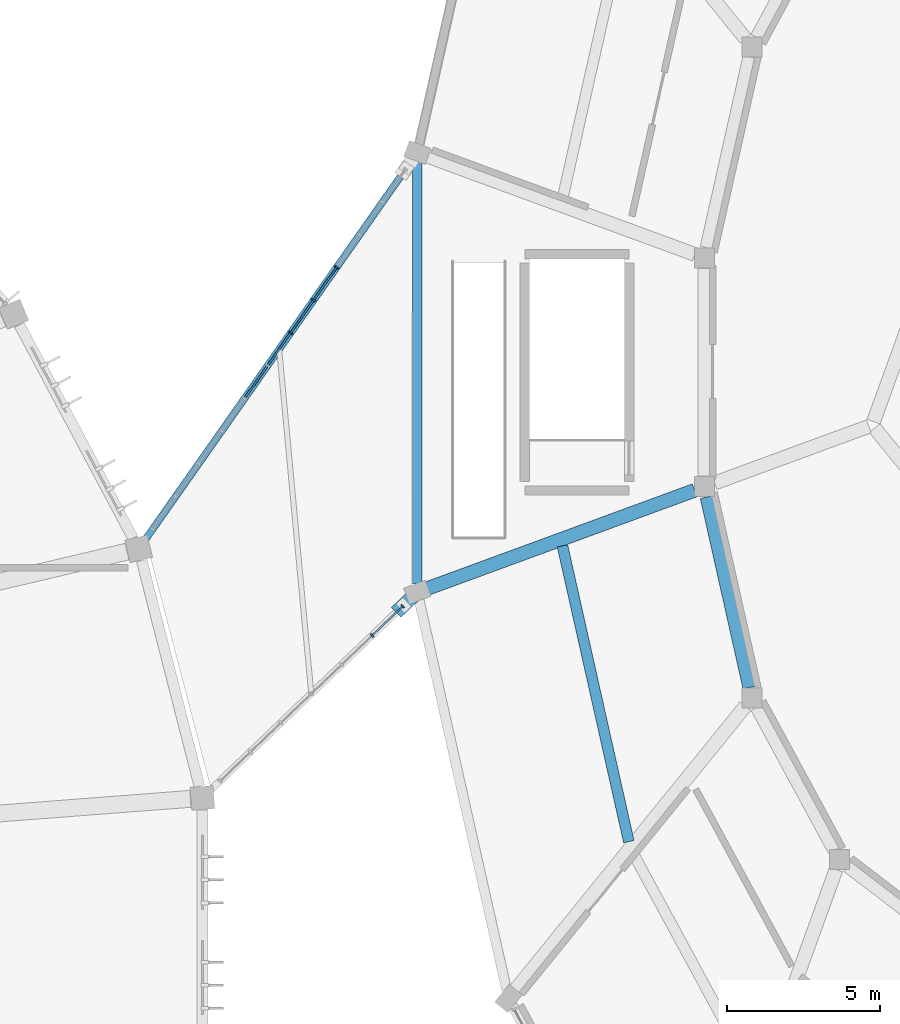
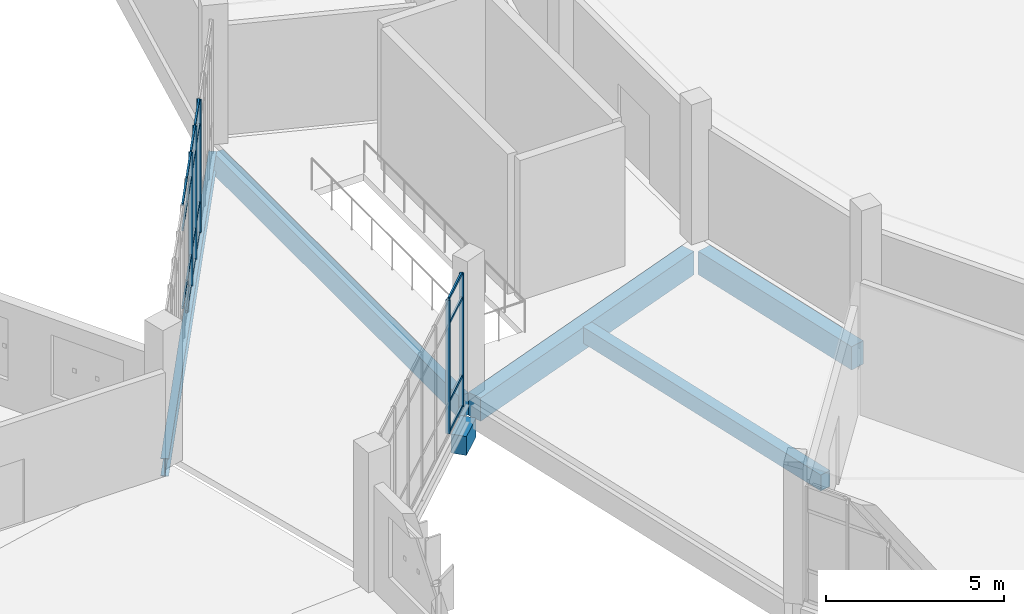
# One storey, part 49 of 179: 24 members, 6 beams, 2 elements without a shape of their own.
"""IFC4 building model written with IfcOpenShell, lengths in metres."""

from ifc_helpers import new_model, si_unit, direction, frame, origin, origin_2d, place, context, subcontext, project, spatial, rectangle, i_section, extrude, material, layer, layer_set, material_profile, profile_set, type_object, element, aggregate, save


model = new_model("IFC4")

# Units and contexts
model_context = context("Model", 3, precision=1e-05, world=origin(), true_north=direction((0.0, 1.0)))
body_context = subcontext(model_context, "Body", "Model", "MODEL_VIEW")
ifc_project = project(units=[si_unit("LENGTHUNIT", "METRE"), si_unit("AREAUNIT", "SQUARE_METRE"), si_unit("VOLUMEUNIT", "CUBIC_METRE"), si_unit("PLANEANGLEUNIT", "RADIAN"), si_unit("MASSUNIT", "GRAM", prefix="KILO")], contexts=[model_context])

# Site, building, storey
site_placement = place(None, origin())
site = spatial("IfcSite", under=ifc_project, at=site_placement, CompositionType="ELEMENT")
building_placement = place(site_placement, origin())
building = spatial("IfcBuilding", under=site, at=building_placement, Name="Corvandel Quay Wholesale Market", CompositionType="ELEMENT")
storey_placement = place(building_placement, frame((0.0, 0.0, 6.0)))
storey = spatial("IfcBuildingStorey", under=building, at=storey_placement, Name="L01", CompositionType="ELEMENT", Elevation=6.0)

# Beams
ifc_material_1 = material(Name="Precast concrete C45/55", Category="concrete")
ifc_material_profile_1 = material_profile(ifc_material_1, rectangle(XDim=0.449951171875, YDim=0.800048828125, at=origin_2d()), Name="PC-GIR-450x800")
ifc_profile_set_1 = profile_set([ifc_material_profile_1], Name="Precast concrete C45/55")
beam_type_1 = type_object("IfcBeamType", Name="Auction Pavilion Girder G05 450x800", PredefinedType="USERDEFINED", material=ifc_profile_set_1)
beam_1_placement = place(storey_placement, frame((184.435546875, 55.939453125, -0.639892578125), z_axis=(0.218994347001, -0.975726127549, 0.0), x_axis=(0.975726127549, 0.218994347001, 0.0)))
element("IfcBeam", 1, at=beam_1_placement, inside=storey, type_object=beam_type_1, Name="Beam BM-0852", ObjectType="GIRDER", PredefinedType="USERDEFINED", context=body_context, shape_type="SweptSolid", body=[
    extrude(rectangle(XDim=0.449951171875, YDim=0.800048828125, at=origin_2d()), origin(), (0.0, 0.0, 1.0), 6.361083984375),
])
beam_2_placement = place(storey_placement, frame((175.25341796875, 52.93212890625, -0.639892578125), z_axis=(0.938719908287, 0.344680915899, 0.0), x_axis=(-0.344680915899, 0.938719908287, 0.0)))
element("IfcBeam", 2, at=beam_2_placement, inside=storey, type_object=beam_type_1, Name="Beam BM-0853", ObjectType="GIRDER", PredefinedType="USERDEFINED", context=body_context, shape_type="SweptSolid", body=[
    extrude(rectangle(XDim=0.449951171875, YDim=0.800048828125, at=origin_2d()), origin(), (0.0, 0.0, 1.0), 9.35595703125),
])
ifc_material_2 = material(Name="Steel A992 Grade 50", Category="steel")
ifc_material_profile_2 = material_profile(ifc_material_2, i_section(OverallWidth=0.22900390625, OverallDepth=0.612060546875, WebThickness=0.011962890625, FlangeThickness=0.01953125, at=origin_2d()), Name="W24X84")
ifc_profile_set_2 = profile_set([ifc_material_profile_2], Name="Steel A992 Grade 50")
beam_type_2 = type_object("IfcBeamType", Name="Bridge Link Steel Girder SG02 W24X84", PredefinedType="USERDEFINED", material=ifc_profile_set_2)
beam_3_placement = place(storey_placement, frame((166.1494140625, 54.570068359375, -0.52587890625), z_axis=(0.575077511618, 0.818098927778, 0.0), x_axis=(-0.818098927778, 0.575077511618, 0.0)))
element("IfcBeam", 3, at=beam_3_placement, inside=storey, type_object=beam_type_2, Name="Beam BM-1794", ObjectType="GIRDER", PredefinedType="USERDEFINED", context=body_context, shape_type="SweptSolid", body=[
    extrude(i_section(OverallWidth=0.22900390625, OverallDepth=0.612060546875, WebThickness=0.011962890625, FlangeThickness=0.01953125, at=origin_2d()), origin(), (0.0, 0.0, 1.0), 15.125244140625),
])

# Curtain wall, members
ifc_material_3 = material(Name="Bronze anodised aluminium and low-E insulated glazing", Category="aluminium")
ifc_layer_1 = layer(ifc_material_3, 0.14990234375)
ifc_layer_set_1 = layer_set([ifc_layer_1], Name="Bronze anodised aluminium and low-E insulated glazing")
curtain_wall_type_1 = type_object("IfcCurtainWallType", Name="Stick Curtain Wall System CW25 H5250", PredefinedType="NOTDEFINED", material=ifc_layer_set_1)
curtain_wall_1_placement = place(storey_placement, origin())
curtain_wall_1 = element("IfcCurtainWall", 4, at=curtain_wall_1_placement, inside=storey, type_object=curtain_wall_type_1, Name="Curtain Wall CW-0176", PredefinedType="NOTDEFINED")
ifc_material_4 = material(Name="Anodised aluminium 6063-T6", Category="aluminium")
ifc_material_profile_3 = material_profile(ifc_material_4, rectangle(XDim=0.06005859375, YDim=0.1298828125, at=origin_2d()), Name="ALU-MUL-60x130")
ifc_profile_set_3 = profile_set([ifc_material_profile_3], Name="Anodised aluminium 6063-T6")
member_type_1 = type_object("IfcMemberType", Name="Clerestory Mullion ML03 60x130", PredefinedType="MULLION", material=ifc_profile_set_3)
member_1_placement = place(storey_placement, frame((173.5283203125, 51.4296875, -0.030029296875), z_axis=(0.0, 0.0, 1.0), x_axis=(0.72236396206, 0.691513055782, 0.0)))
member_1 = element("IfcMember", 5, at=member_1_placement, type_object=member_type_1, Name="Mullion CW-0176-M05", PredefinedType="MULLION", context=body_context, shape_type="SweptSolid", body=[
    extrude(rectangle(XDim=0.06005859375, YDim=0.1298828125, at=origin_2d()), origin(), (0.0, 0.0, 1.0), 4.580078125),
])
member_2_placement = place(storey_placement, frame((174.519775390625, 52.379150390625, -0.030029296875), z_axis=(0.0, 0.0, 1.0), x_axis=(0.72236396206, 0.691513055782, 0.0)))
member_2 = element("IfcMember", 6, at=member_2_placement, type_object=member_type_1, Name="Mullion CW-0176-M06", PredefinedType="MULLION", context=body_context, shape_type="SweptSolid", body=[
    extrude(rectangle(XDim=0.06005859375, YDim=0.1298828125, at=origin_2d()), origin(), (0.0, 0.0, 1.0), 4.580078125),
])

ifc_layer_2 = layer(ifc_material_3, 0.162109375)
ifc_layer_set_2 = layer_set([ifc_layer_2], Name="Bronze anodised aluminium and low-E insulated glazing")
curtain_wall_type_2 = type_object("IfcCurtainWallType", Name="Stick Curtain Wall System CW26 H5340", PredefinedType="NOTDEFINED", material=ifc_layer_set_2)
curtain_wall_2_placement = place(storey_placement, origin())
curtain_wall_2 = element("IfcCurtainWall", 7, at=curtain_wall_2_placement, inside=storey, type_object=curtain_wall_type_2, Name="Curtain Wall CW-0177", PredefinedType="NOTDEFINED")
member_3_placement = place(storey_placement, frame((170.872802734375, 61.289794921875, -0.030029296875), z_axis=(0.0, 0.0, 1.0), x_axis=(0.575148037348, 0.818049347616, 0.0)))
member_3 = element("IfcMember", 8, at=member_3_placement, type_object=member_type_1, Name="Mullion CW-0177-M06", PredefinedType="MULLION", context=body_context, shape_type="SweptSolid", body=[
    extrude(rectangle(XDim=0.06005859375, YDim=0.1298828125, at=origin_2d()), origin(), (0.0, 0.0, 1.0), 4.580078125),
])
member_4_placement = place(storey_placement, frame((171.621826171875, 62.355224609375, -0.030029296875), z_axis=(0.0, 0.0, 1.0), x_axis=(0.575148037348, 0.818049347616, 0.0)))
member_4 = element("IfcMember", 9, at=member_4_placement, type_object=member_type_1, Name="Mullion CW-0177-M07", PredefinedType="MULLION", context=body_context, shape_type="SweptSolid", body=[
    extrude(rectangle(XDim=0.06005859375, YDim=0.1298828125, at=origin_2d()), origin(), (0.0, 0.0, 1.0), 4.580078125),
])
member_5_placement = place(storey_placement, frame((172.370849609375, 63.420654296875, -0.030029296875), z_axis=(0.0, 0.0, 1.0), x_axis=(0.575148037348, 0.818049347616, 0.0)))
member_5 = element("IfcMember", 10, at=member_5_placement, type_object=member_type_1, Name="Mullion CW-0177-M08", PredefinedType="MULLION", context=body_context, shape_type="SweptSolid", body=[
    extrude(rectangle(XDim=0.06005859375, YDim=0.1298828125, at=origin_2d()), origin(), (0.0, 0.0, 1.0), 4.580078125),
])

# Member
ifc_material_profile_4 = material_profile(ifc_material_4, rectangle(XDim=0.054931640625, YDim=0.094970703125, at=origin_2d()), Name="ALU-TRN-55x95")
ifc_profile_set_4 = profile_set([ifc_material_profile_4], Name="Anodised aluminium 6063-T6")
member_type_2 = type_object("IfcMemberType", Name="Clerestory Transom TR03 55x95", PredefinedType="USERDEFINED", material=ifc_profile_set_4)
member_6_placement = place(storey_placement, frame((173.5498046875, 51.450439453125, -0.030029296875), z_axis=(0.722282315637, 0.691598334669, 0.0), x_axis=(-0.691598334669, 0.722282315637, 0.0)))
member_6 = element("IfcMember", 11, at=member_6_placement, type_object=member_type_2, Name="Transom CW-0176-T05-0", ObjectType="TRANSOM", PredefinedType="USERDEFINED", context=body_context, shape_type="SweptSolid", body=[
    extrude(rectangle(XDim=0.054931640625, YDim=0.094970703125, at=origin_2d()), origin(), (0.0, 0.0, 1.0), 1.312744140625),
])

member_7_placement = place(storey_placement, frame((173.5498046875, 51.450439453125, 1.02001953125), z_axis=(0.722282315637, 0.691598334669, 0.0), x_axis=(-0.691598334669, 0.722282315637, 0.0)))
member_7 = element("IfcMember", 12, at=member_7_placement, type_object=member_type_2, Name="Transom CW-0176-T05-1", ObjectType="TRANSOM", PredefinedType="USERDEFINED", context=body_context, shape_type="SweptSolid", body=[
    extrude(rectangle(XDim=0.054931640625, YDim=0.094970703125, at=origin_2d()), origin(), (0.0, 0.0, 1.0), 1.312744140625),
])

member_8_placement = place(storey_placement, frame((173.5498046875, 51.450439453125, 3.699951171875), z_axis=(0.722282315637, 0.691598334669, 0.0), x_axis=(-0.691598334669, 0.722282315637, 0.0)))
member_8 = element("IfcMember", 13, at=member_8_placement, type_object=member_type_2, Name="Transom CW-0176-T05-2", ObjectType="TRANSOM", PredefinedType="USERDEFINED", context=body_context, shape_type="SweptSolid", body=[
    extrude(rectangle(XDim=0.054931640625, YDim=0.094970703125, at=origin_2d()), origin(), (0.0, 0.0, 1.0), 1.312744140625),
])

member_9_placement = place(storey_placement, frame((173.5498046875, 51.450439453125, 4.550048828125), z_axis=(0.722282315637, 0.691598334669, 0.0), x_axis=(-0.691598334669, 0.722282315637, 0.0)))
member_9 = element("IfcMember", 14, at=member_9_placement, type_object=member_type_2, Name="Transom CW-0176-T05-3", ObjectType="TRANSOM", PredefinedType="USERDEFINED", context=body_context, shape_type="SweptSolid", body=[
    extrude(rectangle(XDim=0.054931640625, YDim=0.094970703125, at=origin_2d()), origin(), (0.0, 0.0, 1.0), 1.312744140625),
])

aggregate(curtain_wall_1, [member_1, member_2, member_6, member_7, member_8, member_9])

member_10_placement = place(storey_placement, frame((169.392333984375, 59.18359375, 1.02001953125), z_axis=(0.57503085041, 0.818131725993, 0.0), x_axis=(-0.818131725993, 0.57503085041, 0.0)))
member_10 = element("IfcMember", 15, at=member_10_placement, type_object=member_type_2, Name="Transom CW-0177-T04-1", ObjectType="TRANSOM", PredefinedType="USERDEFINED", context=body_context, shape_type="SweptSolid", body=[
    extrude(rectangle(XDim=0.054931640625, YDim=0.094970703125, at=origin_2d()), origin(), (0.0, 0.0, 1.0), 1.2421875),
])

member_11_placement = place(storey_placement, frame((169.392333984375, 59.18359375, 3.699951171875), z_axis=(0.57503085041, 0.818131725993, 0.0), x_axis=(-0.818131725993, 0.57503085041, 0.0)))
member_11 = element("IfcMember", 16, at=member_11_placement, type_object=member_type_2, Name="Transom CW-0177-T04-2", ObjectType="TRANSOM", PredefinedType="USERDEFINED", context=body_context, shape_type="SweptSolid", body=[
    extrude(rectangle(XDim=0.054931640625, YDim=0.094970703125, at=origin_2d()), origin(), (0.0, 0.0, 1.0), 1.2421875),
])

member_12_placement = place(storey_placement, frame((169.392333984375, 59.18359375, 4.550048828125), z_axis=(0.57503085041, 0.818131725993, 0.0), x_axis=(-0.818131725993, 0.57503085041, 0.0)))
member_12 = element("IfcMember", 17, at=member_12_placement, type_object=member_type_2, Name="Transom CW-0177-T04-3", ObjectType="TRANSOM", PredefinedType="USERDEFINED", context=body_context, shape_type="SweptSolid", body=[
    extrude(rectangle(XDim=0.054931640625, YDim=0.094970703125, at=origin_2d()), origin(), (0.0, 0.0, 1.0), 1.2421875),
])

member_13_placement = place(storey_placement, frame((170.14111328125, 60.2490234375, -0.030029296875), z_axis=(0.575162369766, 0.818039270699, 0.0), x_axis=(-0.818039270699, 0.575162369766, 0.0)))
member_13 = element("IfcMember", 18, at=member_13_placement, type_object=member_type_2, Name="Transom CW-0177-T05-0", ObjectType="TRANSOM", PredefinedType="USERDEFINED", context=body_context, shape_type="SweptSolid", body=[
    extrude(rectangle(XDim=0.054931640625, YDim=0.094970703125, at=origin_2d()), origin(), (0.0, 0.0, 1.0), 1.242431640625),
])

member_14_placement = place(storey_placement, frame((170.14111328125, 60.2490234375, 1.02001953125), z_axis=(0.575162369766, 0.818039270699, 0.0), x_axis=(-0.818039270699, 0.575162369766, 0.0)))
member_14 = element("IfcMember", 19, at=member_14_placement, type_object=member_type_2, Name="Transom CW-0177-T05-1", ObjectType="TRANSOM", PredefinedType="USERDEFINED", context=body_context, shape_type="SweptSolid", body=[
    extrude(rectangle(XDim=0.054931640625, YDim=0.094970703125, at=origin_2d()), origin(), (0.0, 0.0, 1.0), 1.242431640625),
])

member_15_placement = place(storey_placement, frame((170.14111328125, 60.2490234375, 3.699951171875), z_axis=(0.575162369766, 0.818039270699, 0.0), x_axis=(-0.818039270699, 0.575162369766, 0.0)))
member_15 = element("IfcMember", 20, at=member_15_placement, type_object=member_type_2, Name="Transom CW-0177-T05-2", ObjectType="TRANSOM", PredefinedType="USERDEFINED", context=body_context, shape_type="SweptSolid", body=[
    extrude(rectangle(XDim=0.054931640625, YDim=0.094970703125, at=origin_2d()), origin(), (0.0, 0.0, 1.0), 1.242431640625),
])

member_16_placement = place(storey_placement, frame((170.14111328125, 60.2490234375, 4.550048828125), z_axis=(0.575162369766, 0.818039270699, 0.0), x_axis=(-0.818039270699, 0.575162369766, 0.0)))
member_16 = element("IfcMember", 21, at=member_16_placement, type_object=member_type_2, Name="Transom CW-0177-T05-3", ObjectType="TRANSOM", PredefinedType="USERDEFINED", context=body_context, shape_type="SweptSolid", body=[
    extrude(rectangle(XDim=0.054931640625, YDim=0.094970703125, at=origin_2d()), origin(), (0.0, 0.0, 1.0), 1.242431640625),
])

member_17_placement = place(storey_placement, frame((170.89013671875, 61.314453125, -0.030029296875), z_axis=(0.57503085041, 0.818131725993, 0.0), x_axis=(-0.818131725993, 0.57503085041, 0.0)))
member_17 = element("IfcMember", 22, at=member_17_placement, type_object=member_type_2, Name="Transom CW-0177-T06-0", ObjectType="TRANSOM", PredefinedType="USERDEFINED", context=body_context, shape_type="SweptSolid", body=[
    extrude(rectangle(XDim=0.054931640625, YDim=0.094970703125, at=origin_2d()), origin(), (0.0, 0.0, 1.0), 1.2421875),
])

member_18_placement = place(storey_placement, frame((170.89013671875, 61.314453125, 1.02001953125), z_axis=(0.57503085041, 0.818131725993, 0.0), x_axis=(-0.818131725993, 0.57503085041, 0.0)))
member_18 = element("IfcMember", 23, at=member_18_placement, type_object=member_type_2, Name="Transom CW-0177-T06-1", ObjectType="TRANSOM", PredefinedType="USERDEFINED", context=body_context, shape_type="SweptSolid", body=[
    extrude(rectangle(XDim=0.054931640625, YDim=0.094970703125, at=origin_2d()), origin(), (0.0, 0.0, 1.0), 1.2421875),
])

member_19_placement = place(storey_placement, frame((170.89013671875, 61.314453125, 3.699951171875), z_axis=(0.57503085041, 0.818131725993, 0.0), x_axis=(-0.818131725993, 0.57503085041, 0.0)))
member_19 = element("IfcMember", 24, at=member_19_placement, type_object=member_type_2, Name="Transom CW-0177-T06-2", ObjectType="TRANSOM", PredefinedType="USERDEFINED", context=body_context, shape_type="SweptSolid", body=[
    extrude(rectangle(XDim=0.054931640625, YDim=0.094970703125, at=origin_2d()), origin(), (0.0, 0.0, 1.0), 1.2421875),
])

member_20_placement = place(storey_placement, frame((170.89013671875, 61.314453125, 4.550048828125), z_axis=(0.57503085041, 0.818131725993, 0.0), x_axis=(-0.818131725993, 0.57503085041, 0.0)))
member_20 = element("IfcMember", 25, at=member_20_placement, type_object=member_type_2, Name="Transom CW-0177-T06-3", ObjectType="TRANSOM", PredefinedType="USERDEFINED", context=body_context, shape_type="SweptSolid", body=[
    extrude(rectangle(XDim=0.054931640625, YDim=0.094970703125, at=origin_2d()), origin(), (0.0, 0.0, 1.0), 1.2421875),
])

member_21_placement = place(storey_placement, frame((171.63916015625, 62.3798828125, -0.030029296875), z_axis=(0.575123316774, 0.818066727414, 0.0), x_axis=(-0.818066727414, 0.575123316774, 0.0)))
member_21 = element("IfcMember", 26, at=member_21_placement, type_object=member_type_2, Name="Transom CW-0177-T07-0", ObjectType="TRANSOM", PredefinedType="USERDEFINED", context=body_context, shape_type="SweptSolid", body=[
    extrude(rectangle(XDim=0.054931640625, YDim=0.094970703125, at=origin_2d()), origin(), (0.0, 0.0, 1.0), 1.2421875),
])

member_22_placement = place(storey_placement, frame((171.63916015625, 62.3798828125, 1.02001953125), z_axis=(0.575123316774, 0.818066727414, 0.0), x_axis=(-0.818066727414, 0.575123316774, 0.0)))
member_22 = element("IfcMember", 27, at=member_22_placement, type_object=member_type_2, Name="Transom CW-0177-T07-1", ObjectType="TRANSOM", PredefinedType="USERDEFINED", context=body_context, shape_type="SweptSolid", body=[
    extrude(rectangle(XDim=0.054931640625, YDim=0.094970703125, at=origin_2d()), origin(), (0.0, 0.0, 1.0), 1.2421875),
])

member_23_placement = place(storey_placement, frame((171.63916015625, 62.3798828125, 3.699951171875), z_axis=(0.575123316774, 0.818066727414, 0.0), x_axis=(-0.818066727414, 0.575123316774, 0.0)))
member_23 = element("IfcMember", 28, at=member_23_placement, type_object=member_type_2, Name="Transom CW-0177-T07-2", ObjectType="TRANSOM", PredefinedType="USERDEFINED", context=body_context, shape_type="SweptSolid", body=[
    extrude(rectangle(XDim=0.054931640625, YDim=0.094970703125, at=origin_2d()), origin(), (0.0, 0.0, 1.0), 1.2421875),
])

member_24_placement = place(storey_placement, frame((171.63916015625, 62.3798828125, 4.550048828125), z_axis=(0.575123316774, 0.818066727414, 0.0), x_axis=(-0.818066727414, 0.575123316774, 0.0)))
member_24 = element("IfcMember", 29, at=member_24_placement, type_object=member_type_2, Name="Transom CW-0177-T07-3", ObjectType="TRANSOM", PredefinedType="USERDEFINED", context=body_context, shape_type="SweptSolid", body=[
    extrude(rectangle(XDim=0.054931640625, YDim=0.094970703125, at=origin_2d()), origin(), (0.0, 0.0, 1.0), 1.2421875),
])

aggregate(curtain_wall_2, [member_3, member_4, member_5, member_10, member_11, member_12, member_13, member_14, member_15, member_16, member_17, member_18, member_19, member_20, member_21, member_22, member_23, member_24])

# Beams
ifc_material_profile_5 = material_profile(ifc_material_1, rectangle(XDim=0.320068359375, YDim=0.75, at=origin_2d()), Name="PC-SPN-320x750")
ifc_profile_set_5 = profile_set([ifc_material_profile_5], Name="Precast concrete C45/55")
beam_type_3 = type_object("IfcBeamType", Name="Pavilion Precast Spandrel SP02 320x750", PredefinedType="SPANDREL", material=ifc_profile_set_5)
beam_4_placement = place(storey_placement, frame((175.0, 66.89111328125, -0.614990234375), z_axis=(0.0, -1.0, 0.0), x_axis=(1.0, 0.0, 0.0)))
element("IfcBeam", 30, at=beam_4_placement, inside=storey, type_object=beam_type_3, Name="Beam BM-0842", PredefinedType="SPANDREL", context=body_context, shape_type="SweptSolid", body=[
    extrude(rectangle(XDim=0.320068359375, YDim=0.75, at=origin_2d()), origin(), (0.0, 0.0, 1.0), 13.7822265625),
])
ifc_material_profile_6 = material_profile(ifc_material_1, rectangle(XDim=0.449951171875, YDim=0.64990234375, at=origin_2d()), Name="PC-COR-680x650")
ifc_profile_set_6 = profile_set([ifc_material_profile_6], Name="Precast concrete C45/55")
beam_type_4 = type_object("IfcBeamType", Name="Seismic Joint Precast Corbel CB01 680x650", PredefinedType="BEAM", material=ifc_profile_set_6)
beam_5_placement = place(storey_placement, frame((175.0, 52.839111328125, -1.156982421875), z_axis=(-0.722280835908, -0.691599880046, 0.0), x_axis=(0.691599880046, -0.722280835908, 0.0)))
element("IfcBeam", 31, at=beam_5_placement, inside=storey, type_object=beam_type_4, Name="Beam BM-1791", PredefinedType="BEAM", context=body_context, shape_type="SweptSolid", body=[
    extrude(rectangle(XDim=0.449951171875, YDim=0.64990234375, at=origin_2d()), origin(), (0.0, 0.0, 1.0), 0.954833984375),
])
ifc_material_profile_7 = material_profile(ifc_material_1, rectangle(XDim=0.35009765625, YDim=0.550048828125, at=origin_2d()), Name="PC-BM-350x550")
ifc_profile_set_7 = profile_set([ifc_material_profile_7], Name="Precast concrete C45/55")
beam_type_5 = type_object("IfcBeamType", Name="Standard Floor Secondary Beam B03 350x550", PredefinedType="BEAM", material=ifc_profile_set_7)
beam_6_placement = place(storey_placement, frame((179.72705078125, 54.34765625, -0.514892578125), z_axis=(0.218963891009, -0.975732962667, 0.0), x_axis=(0.975732962667, 0.218963891009, 0.0)))
element("IfcBeam", 32, at=beam_6_placement, inside=storey, type_object=beam_type_5, Name="Beam BM-0854", PredefinedType="BEAM", context=body_context, shape_type="SweptSolid", body=[
    extrude(rectangle(XDim=0.35009765625, YDim=0.550048828125, at=origin_2d()), origin(), (0.0, 0.0, 1.0), 9.87548828125),
])

save(model, "model.ifc")
